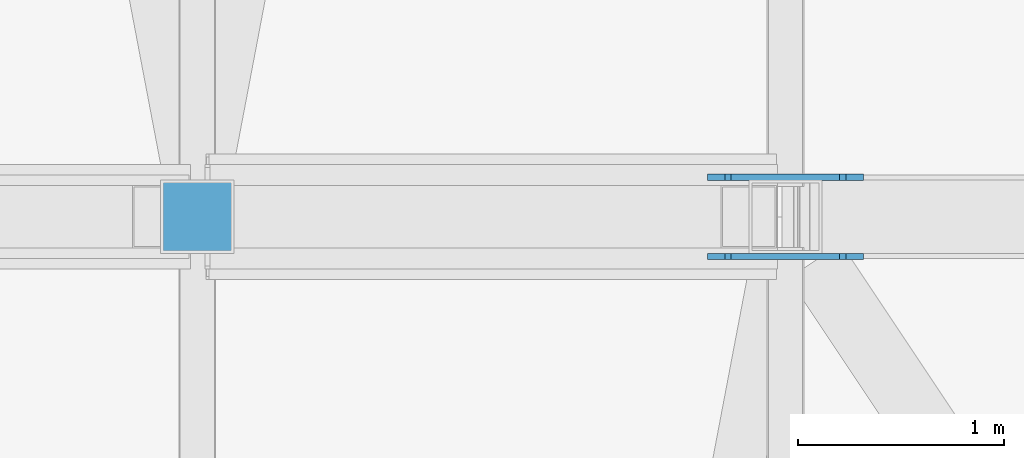
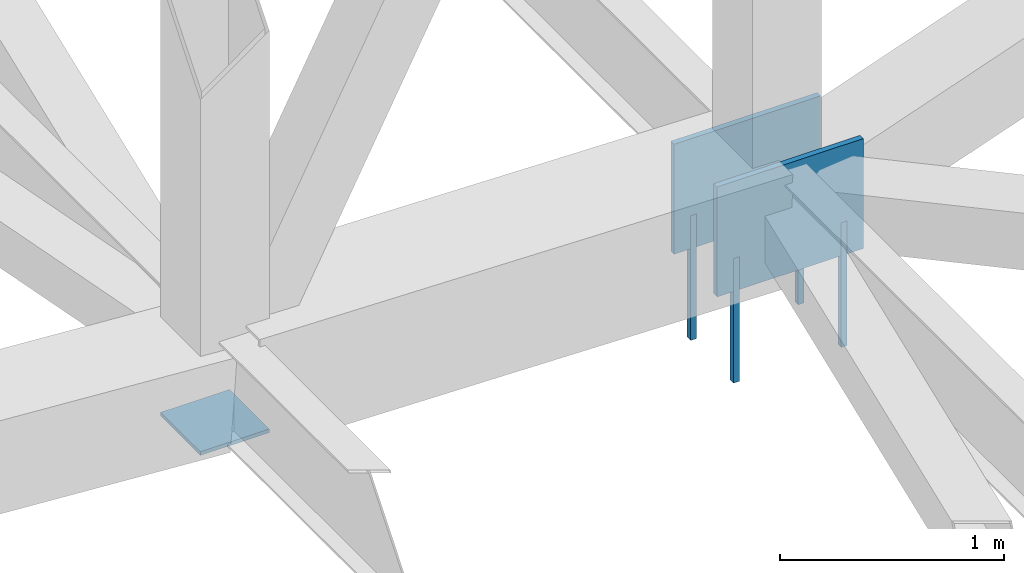
# One storey, part 202 of 278: 4 mechanical fasteners, 3 discrete accessories.
"""IFC4 building model written with IfcOpenShell, lengths in metres."""

import ifcopenshell
import ifcopenshell.guid

model = None  # the IFC model being written
_history = None  # IfcOwnerHistory: only IFC2X3 demands one
_inside = {}  # id of a spatial element -> (the spatial element, [elements in it])
_under = {}  # id of a project, library or spatial element -> (it, [spatial elements below it])
_declared = {}  # id of a project -> (the project, [libraries it declares])
_typed = {}  # id of a type object -> (the type object, [elements of that type])
_made_of = {}  # id of a material, layer set ... -> (it, [elements and type objects made of it])


def new_model(schema):
    """Start an empty IFC model of exactly this schema.

    Asked for "IFC4X3", IfcOpenShell would pick the latest addendum, in which some entities
    have other attributes; the version numbers below select the first issue.
    IFC2X3 requires an IfcOwnerHistory on every rooted entity: one is made here for all.
    """
    global model, _history
    if schema == "IFC4X3":
        model = ifcopenshell.file(schema_version=(4, 3, 0, 0))
    else:
        model = ifcopenshell.file(schema=schema)
    _inside.clear()
    _under.clear()
    _declared.clear()
    _typed.clear()
    _made_of.clear()
    _history = None
    if model.schema == "IFC2X3":
        org = make("IfcOrganization", Name="unknown")
        user = make(
            "IfcPersonAndOrganization",
            ThePerson=make("IfcPerson", FamilyName="unknown"),
            TheOrganization=org,
        )
        app = make(
            "IfcApplication",
            ApplicationDeveloper=org,
            Version="unknown",
            ApplicationFullName="unknown",
            ApplicationIdentifier="unknown",
        )
        _history = make(
            "IfcOwnerHistory",
            OwningUser=user,
            OwningApplication=app,
            ChangeAction="ADDED",
            CreationDate=0,
        )
    return model


def make(cls, **values):
    """One entity of the class cls with the attributes given. An attribute that is None is left unset."""
    return model.create_entity(
        cls, **{name: value for name, value in values.items() if value is not None}
    )


def rooted(cls, **values):
    """An entity with a GlobalId (a new one), such as an element, a storey or a relation."""
    return make(cls, GlobalId=ifcopenshell.guid.new(), OwnerHistory=_history, **values)


def si_unit(unit_type, name, prefix=None):
    """IfcSIUnit, for example si_unit("LENGTHUNIT", "METRE", prefix="MILLI")."""
    return make("IfcSIUnit", UnitType=unit_type, Prefix=prefix, Name=name)


def assignment(units):
    """IfcUnitAssignment: the units of a project."""
    return None if units is None else make("IfcUnitAssignment", Units=units)


def point(xyz):
    """IfcCartesianPoint."""
    return None if xyz is None else make("IfcCartesianPoint", Coordinates=xyz)


def direction(xyz):
    """IfcDirection."""
    return None if xyz is None else make("IfcDirection", DirectionRatios=xyz)


def frame(location, z_axis=None, x_axis=None):
    """IfcAxis2Placement3D, a coordinate frame: its origin and axes. An axis left out is left unset."""
    return make(
        "IfcAxis2Placement3D",
        Location=point(location),
        Axis=direction(z_axis),
        RefDirection=direction(x_axis),
    )


def frame_2d(location, x_axis=None):
    """IfcAxis2Placement2D, a coordinate frame in the plane: its origin and x axis."""
    return make(
        "IfcAxis2Placement2D", Location=point(location), RefDirection=direction(x_axis)
    )


def origin():
    """The frame at (0, 0, 0) with its axes left unset."""
    return frame((0.0, 0.0, 0.0))


def origin_2d():
    """The frame at (0, 0) in the plane with its x axis left unset."""
    return frame_2d((0.0, 0.0))


def place(relative_to, where):
    """IfcLocalPlacement: puts the frame where relative to a parent placement (None: the world)."""
    return make(
        "IfcLocalPlacement", PlacementRelTo=relative_to, RelativePlacement=where
    )


def context(
    kind, dimensions, precision=None, world=None, true_north=None, identifier=None
):
    """IfcGeometricRepresentationContext, for example the 3D "Model" context."""
    return make(
        "IfcGeometricRepresentationContext",
        ContextIdentifier=identifier,
        ContextType=kind,
        CoordinateSpaceDimension=dimensions,
        Precision=precision,
        WorldCoordinateSystem=world,
        TrueNorth=true_north,
    )


def subcontext(parent, identifier, kind, view, scale=None):
    """IfcGeometricRepresentationSubContext, for example "Body" below "Model"."""
    return make(
        "IfcGeometricRepresentationSubContext",
        ContextIdentifier=identifier,
        ContextType=kind,
        ParentContext=parent,
        TargetScale=scale,
        TargetView=view,
    )


def project(units=None, contexts=None):
    """IfcProject with its units and contexts."""
    return rooted(
        "IfcProject",
        Name="project",
        RepresentationContexts=contexts,
        UnitsInContext=assignment(units),
    )


def spatial(cls, under=None, at=None, **own):
    """A site, building, storey or space (cls), placed at a placement, below another one or the project."""
    s = rooted(cls, ObjectPlacement=at, **own)
    if under is not None:
        _under.setdefault(under.id(), (under, []))[1].append(s)
    return s


def profile(cls, at=None, kind="AREA", **sizes):
    """A parametric profile (cls). Its sizes go by their IFC names, for example OverallWidth=200.0."""
    return make(cls, ProfileType=kind, Position=at, **sizes)


def rectangle(**sizes):
    """IfcRectangleProfileDef."""
    return profile("IfcRectangleProfileDef", **sizes)


def extrude(swept, where, along, depth):
    """IfcExtrudedAreaSolid: the profile swept, set in the frame where, extruded along a direction by depth."""
    return make(
        "IfcExtrudedAreaSolid",
        SweptArea=swept,
        Position=where,
        ExtrudedDirection=direction(along),
        Depth=depth,
    )


def shape(context_of_items, identifier, shape_type, items):
    """IfcShapeRepresentation: the items that make up one representation, for example the "Body"."""
    return make(
        "IfcShapeRepresentation",
        ContextOfItems=context_of_items,
        RepresentationIdentifier=identifier,
        RepresentationType=shape_type,
        Items=items,
    )


def material(Name=None, Category=None):
    """IfcMaterial."""
    return make("IfcMaterial", Name=Name, Category=Category)


def layer(
    of_material, thickness, ventilated=None, Name=None, Category=None, Priority=None
):
    """IfcMaterialLayer: one layer of a wall or slab, of a material (None: an air gap)."""
    return make(
        "IfcMaterialLayer",
        Material=of_material,
        LayerThickness=thickness,
        IsVentilated=ventilated,
        Name=Name,
        Category=Category,
        Priority=Priority,
    )


def layer_set(layers, Name=None):
    """IfcMaterialLayerSet."""
    return make("IfcMaterialLayerSet", MaterialLayers=layers, LayerSetName=Name)


def made_of(thing, what):
    """Note that an element or type object is made of a material, layer set ...; save() writes the relation."""
    if what is not None:
        _made_of.setdefault(what.id(), (what, []))[1].append(thing)
    return thing


def type_object(cls, material=None, **own):
    """A type object (cls), such as IfcWallType, which elements share."""
    return made_of(rooted(cls, **own), material)


def element(
    cls,
    number,
    at=None,
    inside=None,
    cuts=None,
    type_object=None,
    material=None,
    context=None,
    identifier="Body",
    shape_type=None,
    held_by="IfcProductDefinitionShape",
    body=None,
    shapes=None,
    **own,
):
    """One element of the class cls, such as IfcWall. Its Tag is "e" and its number.

    at: its placement. inside: the storey or other place that contains it. cuts: it is an
    opening in that element (IfcRelVoidsElement). A single representation is given by context,
    identifier, shape_type and body (its items); several are given by shapes. held_by: the class
    of the entity that holds the representations. save() writes the other relations.
    """
    e = rooted(cls, Tag="e%d" % number, ObjectPlacement=at, **own)
    if body is not None:
        shapes = [shape(context, identifier, shape_type, body)]
    if shapes is not None:
        e.Representation = make(held_by, Representations=shapes)
    if inside is not None:
        _inside.setdefault(inside.id(), (inside, []))[1].append(e)
    if cuts is not None:
        rooted(
            "IfcRelVoidsElement", RelatingBuildingElement=cuts, RelatedOpeningElement=e
        )
    if type_object is not None:
        _typed.setdefault(type_object.id(), (type_object, []))[1].append(e)
    return made_of(e, material)


def aggregate(whole, parts):
    """IfcRelAggregates: a whole, such as a stair, and the parts it consists of."""
    return rooted("IfcRelAggregates", RelatingObject=whole, RelatedObjects=parts)


def save(model, path):
    """Write the relations noted so far, then the file.

    IfcRelAggregates (storeys below a building ...), IfcRelContainedInSpatialStructure (elements
    in a storey), IfcRelDefinesByType, IfcRelAssociatesMaterial and IfcRelDeclares: one each for
    every whole, place, type object, material and project.
    """
    for whole, parts in _under.values():
        aggregate(whole, parts)
    for where, things in _inside.values():
        rooted(
            "IfcRelContainedInSpatialStructure",
            RelatedElements=things,
            RelatingStructure=where,
        )
    for kind, things in _typed.values():
        rooted("IfcRelDefinesByType", RelatedObjects=things, RelatingType=kind)
    for what, things in _made_of.values():
        rooted("IfcRelAssociatesMaterial", RelatedObjects=things, RelatingMaterial=what)
    for by, libraries in _declared.values():
        rooted("IfcRelDeclares", RelatingContext=by, RelatedDefinitions=libraries)
    model.write(path)


model = new_model("IFC4")

# Units and contexts
model_context = context("Model", 3, precision=1e-05, world=origin(), true_north=direction((0.0, 1.0)))
body_context = subcontext(model_context, "Body", "Model", "MODEL_VIEW")
ifc_project = project(units=[si_unit("LENGTHUNIT", "METRE"), si_unit("AREAUNIT", "SQUARE_METRE"), si_unit("VOLUMEUNIT", "CUBIC_METRE"), si_unit("PLANEANGLEUNIT", "RADIAN"), si_unit("MASSUNIT", "GRAM", prefix="KILO")], contexts=[model_context])

# Site, building, storey
site_placement = place(None, origin())
site = spatial("IfcSite", under=ifc_project, at=site_placement, CompositionType="ELEMENT")
building_placement = place(site_placement, origin())
building = spatial("IfcBuilding", under=site, at=building_placement, Name="Ogive Plaza Stadium", CompositionType="ELEMENT")
storey_placement = place(building_placement, frame((0.0, 0.0, 29.0)))
storey = spatial("IfcBuildingStorey", under=building, at=storey_placement, Name="Roof", CompositionType="ELEMENT", Elevation=29.0)

# Mechanical fasteners
ifc_material_1 = material(Name="Steel ASTM A992 Grade 50", Category="steel")
mechanical_fastener_type = type_object("IfcMechanicalFastenerType", Name="Anchor bolt M30 x 600", PredefinedType="ANCHORBOLT", material=ifc_material_1)
for number, where, z_axis, x_axis, name in (
    (1, (74.27783203125, 22.69189453125, -0.5), (0.0, 0.0, 1.0), (1.0, 0.0, 0.0), "ANCHOR BOLT 03 BP 1.1"),
    (2, (73.72216796875, 22.69189453125, -0.5), (0.0, 0.0, 1.0), (1.0, 0.0, 0.0), "ANCHOR BOLT 03 BP 1.2"),
    (3, (74.27783203125, 22.30810546875, -0.5), (0.0, 0.0, 1.0), (1.0, 0.0, 0.0), "ANCHOR BOLT 03 BP 2.1"),
    (4, (73.72216796875, 22.30810546875, -0.5), (0.0, 0.0, 1.0), (1.0, 0.0, 0.0), "ANCHOR BOLT 03 BP 2.2"),
):
    element("IfcMechanicalFastener", number, at=place(storey_placement, frame(where, z_axis=z_axis, x_axis=x_axis)), inside=storey, type_object=mechanical_fastener_type, Name=name, PredefinedType="ANCHORBOLT", context=body_context, shape_type="SweptSolid", body=[
        extrude(rectangle(XDim=0.030029296875, YDim=0.030029296875, at=origin_2d()), origin(), (0.0, 0.0, 1.0), 0.679931640625),
    ])

# Discrete accessories
ifc_material_2 = material(Name="Steel ASTM A992 Grade 50", Category="steel")
ifc_layer_1 = layer(ifc_material_2, 0.02001953125)
ifc_layer_set_1 = layer_set([ifc_layer_1], Name="Steel ASTM A992 Grade 50")
discrete_accessory_type_1 = type_object("IfcDiscreteAccessoryType", Name="Roof truss post cap plate 20", PredefinedType="ANCHORPLATE", material=ifc_layer_set_1)
discrete_accessory_placement = place(storey_placement, frame((71.14990234375, 22.5, 0.04541015625), z_axis=(0.0, 0.0, 1.0), x_axis=(1.0, 0.0, 0.0)))
element("IfcDiscreteAccessory", 5, at=discrete_accessory_placement, inside=storey, type_object=discrete_accessory_type_1, Name="ROOF TRUSS POST CAP PLATE 03 10", PredefinedType="ANCHORPLATE", context=body_context, shape_type="SweptSolid", body=[
    extrude(rectangle(XDim=0.355712890625, YDim=0.355712890625, at=origin_2d()), origin(), (0.0, 0.0, 1.0), 0.02001953125),
])
ifc_material_3 = material(Name="Steel ASTM A992 Grade 50", Category="steel")
ifc_layer_2 = layer(ifc_material_3, 0.030029296875)
ifc_layer_set_2 = layer_set([ifc_layer_2], Name="Steel ASTM A992 Grade 50")
discrete_accessory_type_2 = type_object("IfcDiscreteAccessoryType", Name="Truss root foot cleat plate 30", PredefinedType="ANCHORPLATE", material=ifc_layer_set_2)
for number, where, z_axis, x_axis, name in (
    (6, (74.0, 22.69189453125, 0.0), (0.0, 0.0, 1.0), (1.0, 0.0, 0.0), "TRUSS ROOT FOOT CLEAT PLATE 03 1"),
    (7, (74.0, 22.30810546875, 0.0), (0.0, 0.0, 1.0), (1.0, 0.0, 0.0), "TRUSS ROOT FOOT CLEAT PLATE 03 2"),
):
    element("IfcDiscreteAccessory", number, at=place(storey_placement, frame(where, z_axis=z_axis, x_axis=x_axis)), inside=storey, type_object=discrete_accessory_type_2, Name=name, PredefinedType="ANCHORPLATE", context=body_context, shape_type="SweptSolid", body=[
        extrude(rectangle(XDim=0.755615234375, YDim=0.030029296875, at=origin_2d()), origin(), (0.0, 0.0, 1.0), 0.60009765625),
    ])

save(model, "model.ifc")
